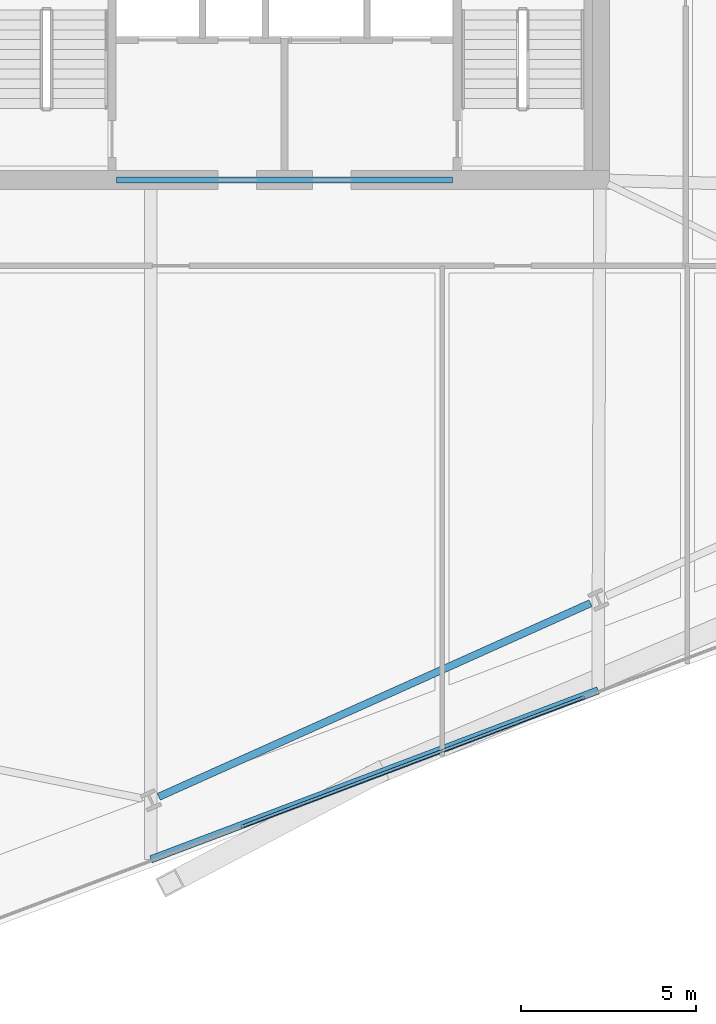
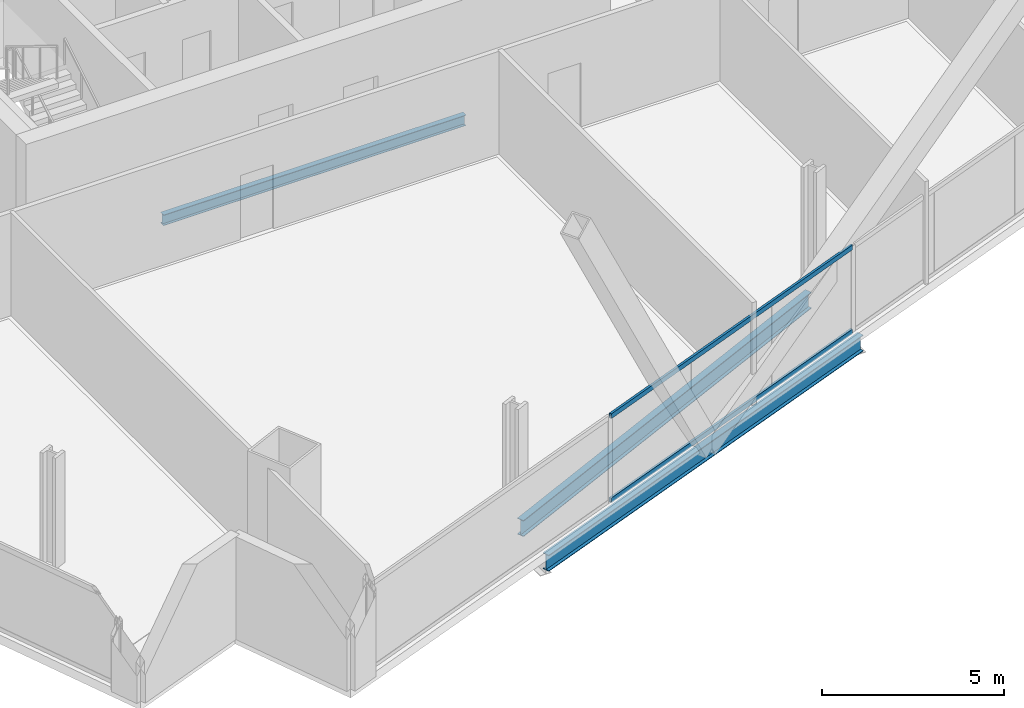
# One storey, part 8 of 37: 3 beams, 2 members, 1 element without a shape of its own.
"""IFC4 building model written with IfcOpenShell, lengths in metres."""

from ifc_helpers import new_model, si_unit, direction, frame, origin, origin_2d, place, context, subcontext, project, spatial, hollow_rectangle, i_section, extrude, material, material_profile, profile_set, type_object, element, aggregate, save


model = new_model("IFC4")

# Units and contexts
model_context = context("Model", 3, precision=1e-05, world=origin(), true_north=direction((0.0, 1.0)))
body_context = subcontext(model_context, "Body", "Model", "MODEL_VIEW")
ifc_project = project(units=[si_unit("LENGTHUNIT", "METRE"), si_unit("AREAUNIT", "SQUARE_METRE"), si_unit("VOLUMEUNIT", "CUBIC_METRE"), si_unit("PLANEANGLEUNIT", "RADIAN"), si_unit("MASSUNIT", "GRAM", prefix="KILO")], contexts=[model_context])

# Site, building, storey
site_placement = place(None, origin())
site = spatial("IfcSite", under=ifc_project, at=site_placement, CompositionType="ELEMENT")
building_placement = place(site_placement, origin())
building = spatial("IfcBuilding", under=site, at=building_placement, Name="Haldenkirk Collegiate Tower", CompositionType="ELEMENT")
storey_placement = place(building_placement, frame((0.0, 0.0, 97.949951171875)))
storey = spatial("IfcBuildingStorey", under=building, at=storey_placement, Name="L23", CompositionType="ELEMENT", Elevation=97.949951171875)

# Beams
ifc_material_1 = material(Name="Steel ASTM A992 Grade 50", Category="steel")
ifc_material_profile_1 = material_profile(ifc_material_1, i_section(OverallWidth=0.1708984375, OverallDepth=0.35595703125, WebThickness=0.007080078125, FlangeThickness=0.01171875, at=origin_2d()), Name="W14X34")
ifc_profile_set_1 = profile_set([ifc_material_profile_1], Name="Steel ASTM A992 Grade 50")
beam_type_1 = type_object("IfcBeamType", Name="BM-LINTEL-W14X34", PredefinedType="LINTEL", material=ifc_profile_set_1)
beam_1_placement = place(storey_placement, frame((31.199951171875, 18.0, -0.47802734375), z_axis=(1.0, 0.0, 0.0), x_axis=(0.0, 1.0, 0.0)))
element("IfcBeam", 1, at=beam_1_placement, inside=storey, type_object=beam_type_1, Name="L23 south core coupling lintel", PredefinedType="LINTEL", context=body_context, shape_type="SweptSolid", body=[
    extrude(i_section(OverallWidth=0.1708984375, OverallDepth=0.35595703125, WebThickness=0.007080078125, FlangeThickness=0.01171875, at=origin_2d()), origin(), (0.0, 0.0, 1.0), 9.60009765625),
])
ifc_material_profile_2 = material_profile(ifc_material_1, i_section(OverallWidth=0.2119140625, OverallDepth=0.5439453125, WebThickness=0.01318359375, FlangeThickness=0.021240234375, at=origin_2d()), Name="W21X83")
ifc_profile_set_2 = profile_set([ifc_material_profile_2], Name="Steel ASTM A992 Grade 50")
beam_type_2 = type_object("IfcBeamType", Name="BM-SPANDREL-W21X83", PredefinedType="SPANDREL", material=ifc_profile_set_2)
beam_2_placement = place(storey_placement, frame((32.405517578125, 0.3876953125, -0.572021484375), z_axis=(0.912476765144, 0.409128528793, 0.0), x_axis=(-0.409128528793, 0.912476765144, 0.0)))
element("IfcBeam", 2, at=beam_2_placement, inside=storey, type_object=beam_type_2, Name="L23 perimeter spandrel beam 02", PredefinedType="SPANDREL", context=body_context, shape_type="SweptSolid", body=[
    extrude(i_section(OverallWidth=0.2119140625, OverallDepth=0.5439453125, WebThickness=0.01318359375, FlangeThickness=0.021240234375, at=origin_2d()), origin(), (0.0, 0.0, 1.0), 13.512939453125),
])
beam_3_placement = place(storey_placement, frame((32.181396484375, -1.3984375, -0.572021484375), z_axis=(0.935446470218, 0.353468388058, 0.0), x_axis=(-0.353468388058, 0.935446470218, 0.0)))
element("IfcBeam", 3, at=beam_3_placement, inside=storey, type_object=beam_type_2, Name="L23 outer facade edge beam 1", PredefinedType="SPANDREL", context=body_context, shape_type="SweptSolid", body=[
    extrude(i_section(OverallWidth=0.2119140625, OverallDepth=0.5439453125, WebThickness=0.01318359375, FlangeThickness=0.021240234375, at=origin_2d()), origin(), (0.0, 0.0, 1.0), 13.65087890625),
])

# Curtain wall, members
ifc_material_2 = material(Name="Anodised architectural bronze aluminium", Category="aluminium")
curtain_wall_type = type_object("IfcCurtainWallType", Name="CW-SYS2-CONCAVE", PredefinedType="USERDEFINED", material=ifc_material_2)
curtain_wall_placement = place(storey_placement, origin())
curtain_wall = element("IfcCurtainWall", 4, at=curtain_wall_placement, inside=storey, type_object=curtain_wall_type, Name="L23 South concave recessed bronze-anodised curtain wall", ObjectType="UNITISED CURTAIN WALL", PredefinedType="USERDEFINED")
ifc_material_profile_3 = material_profile(ifc_material_2, hollow_rectangle(XDim=0.074951171875, YDim=0.159912109375, WallThickness=0.0048828125, at=origin_2d()), Name="CW-TRN-02")
ifc_profile_set_3 = profile_set([ifc_material_profile_3], Name="Anodised architectural bronze aluminium")
member_type = type_object("IfcMemberType", Name="CW-TRN-02", PredefinedType="USERDEFINED", material=ifc_profile_set_3)
member_1_placement = place(storey_placement, frame((44.5615234375, 3.23681640625, 0.03759765625), z_axis=(-0.935445037215, -0.353472180447, 0.0), x_axis=(0.353472180447, -0.935445037215, 0.0)))
member_1 = element("IfcMember", 5, at=member_1_placement, type_object=member_type, Name="CW-02 transom 3.1", ObjectType="TRANSOM", PredefinedType="USERDEFINED", context=body_context, shape_type="SweptSolid", body=[
    extrude(hollow_rectangle(XDim=0.074951171875, YDim=0.159912109375, WallThickness=0.0048828125, at=origin_2d()), origin(), (0.0, 0.0, 1.0), 10.47509765625),
])
member_2_placement = place(storey_placement, frame((44.5615234375, 3.23681640625, 2.863525390625), z_axis=(-0.935445037215, -0.353472180447, 0.0), x_axis=(0.353472180447, -0.935445037215, 0.0)))
member_2 = element("IfcMember", 6, at=member_2_placement, type_object=member_type, Name="CW-02 transom 3.2", ObjectType="TRANSOM", PredefinedType="USERDEFINED", context=body_context, shape_type="SweptSolid", body=[
    extrude(hollow_rectangle(XDim=0.074951171875, YDim=0.159912109375, WallThickness=0.0048828125, at=origin_2d()), origin(), (0.0, 0.0, 1.0), 10.47509765625),
])
aggregate(curtain_wall, [member_1, member_2])

save(model, "model.ifc")
